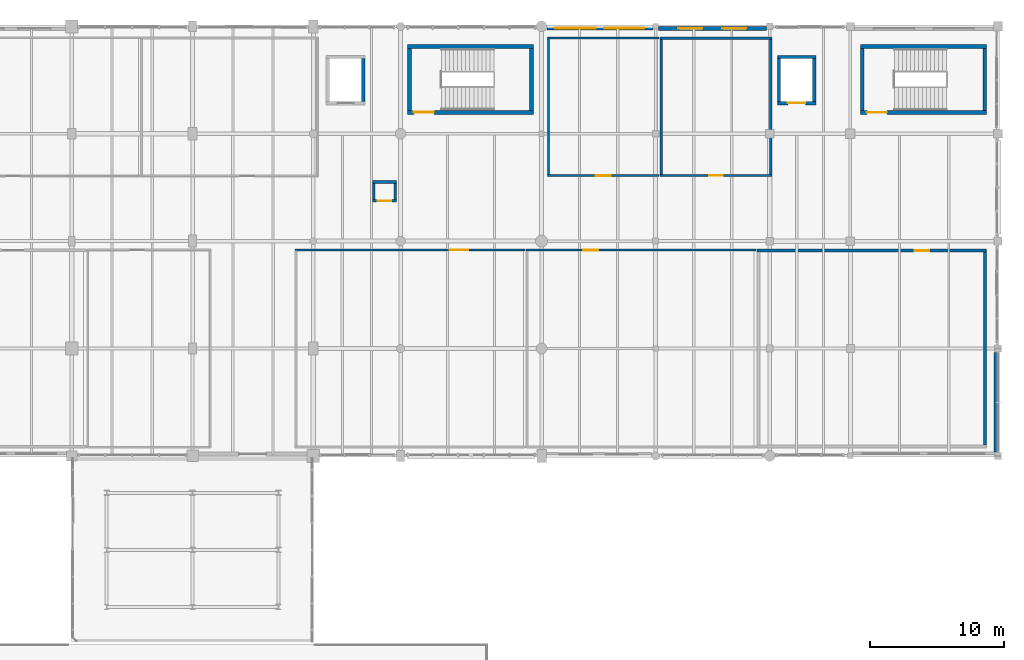
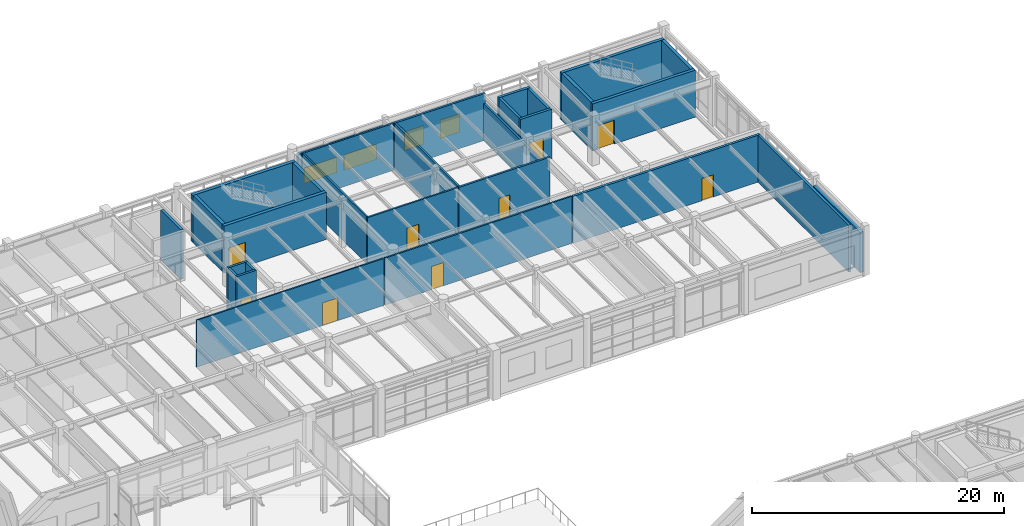
# One storey, part 181 of 200: 31 walls, 9 doors, 4 windows, 13 openings.
"""IFC4 building model written with IfcOpenShell, lengths in metres."""

from ifc_helpers import new_model, si_unit, direction, frame, frame_2d, origin, place, context, subcontext, project, spatial, rectangle, extrude, material, layer, layer_set, type_object, element, fill, save


model = new_model("IFC4")

# Units and contexts
model_context = context("Model", 3, precision=1e-05, world=origin(), true_north=direction((0.0, 1.0)))
body_context = subcontext(model_context, "Body", "Model", "MODEL_VIEW")
ifc_project = project(units=[si_unit("LENGTHUNIT", "METRE"), si_unit("AREAUNIT", "SQUARE_METRE"), si_unit("VOLUMEUNIT", "CUBIC_METRE"), si_unit("PLANEANGLEUNIT", "RADIAN"), si_unit("MASSUNIT", "GRAM", prefix="KILO"), si_unit("THERMODYNAMICTEMPERATUREUNIT", "KELVIN"), si_unit("POWERUNIT", "WATT")], contexts=[model_context])

# Site, building, storey
site_placement = place(None, origin())
site = spatial("IfcSite", under=ifc_project, at=site_placement, CompositionType="ELEMENT")
building_placement = place(site_placement, origin())
building = spatial("IfcBuilding", under=site, at=building_placement, Name="Tepalcoro Natatorium and Aquatics Centre", CompositionType="ELEMENT")
storey_placement = place(building_placement, frame((0.0, 0.0, 5.39990234375)))
storey = spatial("IfcBuildingStorey", under=building, at=storey_placement, Name="L01", CompositionType="ELEMENT", Elevation=5.39990234375)

# Wall, openings, windows
ifc_material_1 = material(Name="Precast Concrete C45/55 (fc 45 MPa)", Category="concrete")
ifc_layer_1 = layer(ifc_material_1, 0.260009765625)
ifc_layer_set_1 = layer_set([ifc_layer_1], Name="Precast Concrete C45/55 (fc 45 MPa)")
wall_type_1 = type_object("IfcWallType", Name="WL_EXT_GABLE_260", PredefinedType="SOLIDWALL", material=ifc_layer_set_1)
wall_1_placement = place(storey_placement, frame((142.404052734375, 117.8701171875, 0.0), z_axis=(0.0, 0.0, 1.0), x_axis=(1.0, 0.0, 0.0)))
wall_1 = element("IfcWall", 1, at=wall_1_placement, inside=storey, type_object=wall_type_1, Name="V5 L01 N Volcanic Basalt Envelope Wall", PredefinedType="SOLIDWALL", context=body_context, shape_type="SweptSolid", body=[
    extrude(rectangle(XDim=7.891845703125, YDim=0.260009765625, at=frame_2d((3.94580078125, 0.0))), origin(), (0.0, 0.0, 1.0), 3.994140625),
])
opening_1_placement = place(wall_1_placement, frame((0.630615234375, 0.0, 0.949951171875)))
opening_1 = element("IfcOpeningElement", 2, at=opening_1_placement, cuts=wall_1, Name="Opening W0092A", PredefinedType="OPENING", context=body_context, shape_type="SweptSolid", body=[
    extrude(rectangle(XDim=3.0, YDim=1.5, at=frame_2d((1.5, 0.75))), frame((0.0, 0.14208984375, 0.0), z_axis=(0.0, -1.0, 0.0), x_axis=(1.0, 0.0, 0.0)), (0.0, 0.0, 1.0), 0.283935546875),
])
opening_2_placement = place(wall_1_placement, frame((4.26123046875, 0.0, 0.949951171875)))
opening_2 = element("IfcOpeningElement", 3, at=opening_2_placement, cuts=wall_1, Name="Opening W0092B", PredefinedType="OPENING", context=body_context, shape_type="SweptSolid", body=[
    extrude(rectangle(XDim=3.0, YDim=1.5, at=frame_2d((1.5, 0.75))), frame((0.0, 0.14208984375, 0.0), z_axis=(0.0, -1.0, 0.0), x_axis=(1.0, 0.0, 0.0)), (0.0, 0.0, 1.0), 0.283935546875),
])
ifc_material_2 = material(Name="Solar-Control Bronze Tempered Low-E Double Glazing", Category="glass")
window_type_1 = type_object("IfcWindowType", Name="WN_300x150", PartitioningType="SINGLE_PANEL", PredefinedType="WINDOW", material=ifc_material_2)
window_1_placement = place(opening_1_placement, origin())
window_1 = element("IfcWindow", 4, at=window_1_placement, inside=storey, type_object=window_type_1, Name="Exterior Thermal Window WN_300x150", OverallHeight=1.5, OverallWidth=3.0, PartitioningType="SINGLE_PANEL", PredefinedType="WINDOW", context=body_context, shape_type="SweptSolid", body=[
    extrude(rectangle(XDim=3.0, YDim=1.5, at=frame_2d((1.5, 0.75))), frame((0.0, 0.030029296875, 0.0), z_axis=(0.0, -1.0, 0.0), x_axis=(1.0, 0.0, 0.0)), (0.0, 0.0, 1.0), 0.06005859375),
])
fill(opening_1, window_1)
window_2_placement = place(opening_2_placement, origin())
window_2 = element("IfcWindow", 5, at=window_2_placement, inside=storey, type_object=window_type_1, Name="Exterior Thermal Window WN_300x150", OverallHeight=1.5, OverallWidth=3.0, PartitioningType="SINGLE_PANEL", PredefinedType="WINDOW", context=body_context, shape_type="SweptSolid", body=[
    extrude(rectangle(XDim=3.0, YDim=1.5, at=frame_2d((1.5, 0.75))), frame((0.0, 0.030029296875, 0.0), z_axis=(0.0, -1.0, 0.0), x_axis=(1.0, 0.0, 0.0)), (0.0, 0.0, 1.0), 0.06005859375),
])
fill(opening_2, window_2)

ifc_material_3 = material(Name="Jalisco Cantera Rosa Volcanic Tuff Ashlar Masonry", Category="masonry")
ifc_layer_2 = layer(ifc_material_3, 0.304931640625)
ifc_layer_set_2 = layer_set([ifc_layer_2], Name="Jalisco Cantera Rosa Volcanic Tuff Ashlar Masonry")
wall_type_2 = type_object("IfcWallType", Name="WL_EXT_TERRACOTTA_300", PredefinedType="SOLIDWALL", material=ifc_layer_set_2)
wall_2_placement = place(storey_placement, frame((150.7041015625, 117.847412109375, 0.0), z_axis=(0.0, 0.0, 1.0), x_axis=(1.0, 0.0, 0.0)))
wall_2 = element("IfcWall", 6, at=wall_2_placement, inside=storey, type_object=wall_type_2, Name="V5 L01 N Volcanic Basalt Envelope Wall", PredefinedType="SOLIDWALL", context=body_context, shape_type="SweptSolid", body=[
    extrude(rectangle(XDim=8.0419921875, YDim=0.304931640625, at=frame_2d((4.02099609375, 0.0))), origin(), (0.0, 0.0, 1.0), 3.918212890625),
])
opening_3_placement = place(wall_2_placement, frame((1.480712890625, 0.0, 0.949951171875)))
opening_3 = element("IfcOpeningElement", 7, at=opening_3_placement, cuts=wall_2, Name="Opening W0093A", PredefinedType="OPENING", context=body_context, shape_type="SweptSolid", body=[
    extrude(rectangle(XDim=1.800048828125, YDim=1.800048828125, at=frame_2d((0.89990234375, 0.89990234375))), frame((0.0, 0.16455078125, 0.0), z_axis=(0.0, -1.0, 0.0), x_axis=(1.0, 0.0, 0.0)), (0.0, 0.0, 1.0), 0.328857421875),
])
opening_4_placement = place(wall_2_placement, frame((4.76123046875, 0.0, 0.949951171875)))
opening_4 = element("IfcOpeningElement", 8, at=opening_4_placement, cuts=wall_2, Name="Opening W0093B", PredefinedType="OPENING", context=body_context, shape_type="SweptSolid", body=[
    extrude(rectangle(XDim=1.800048828125, YDim=1.800048828125, at=frame_2d((0.89990234375, 0.89990234375))), frame((0.0, 0.16455078125, 0.0), z_axis=(0.0, -1.0, 0.0), x_axis=(1.0, 0.0, 0.0)), (0.0, 0.0, 1.0), 0.328857421875),
])
window_type_2 = type_object("IfcWindowType", Name="WN_180x180", PartitioningType="SINGLE_PANEL", PredefinedType="WINDOW", material=ifc_material_2)
window_3_placement = place(opening_3_placement, origin())
window_3 = element("IfcWindow", 9, at=window_3_placement, inside=storey, type_object=window_type_2, Name="Exterior Thermal Window WN_180x180", OverallHeight=1.800048828125, OverallWidth=1.800048828125, PartitioningType="SINGLE_PANEL", PredefinedType="WINDOW", context=body_context, shape_type="SweptSolid", body=[
    extrude(rectangle(XDim=1.800048828125, YDim=1.800048828125, at=frame_2d((0.89990234375, 0.89990234375))), frame((0.0, 0.030029296875, 0.0), z_axis=(0.0, -1.0, 0.0), x_axis=(1.0, 0.0, 0.0)), (0.0, 0.0, 1.0), 0.06005859375),
])
fill(opening_3, window_3)
window_4_placement = place(opening_4_placement, origin())
window_4 = element("IfcWindow", 10, at=window_4_placement, inside=storey, type_object=window_type_2, Name="Exterior Thermal Window WN_180x180", OverallHeight=1.800048828125, OverallWidth=1.800048828125, PartitioningType="SINGLE_PANEL", PredefinedType="WINDOW", context=body_context, shape_type="SweptSolid", body=[
    extrude(rectangle(XDim=1.800048828125, YDim=1.800048828125, at=frame_2d((0.89990234375, 0.89990234375))), frame((0.0, 0.030029296875, 0.0), z_axis=(0.0, -1.0, 0.0), x_axis=(1.0, 0.0, 0.0)), (0.0, 0.0, 1.0), 0.06005859375),
])
fill(opening_4, window_4)

# Wall
wall_3_placement = place(storey_placement, frame((175.847412109375, 86.2890625, 0.0), z_axis=(0.0, 0.0, 1.0), x_axis=(0.0, 1.0, 0.0)))
element("IfcWall", 11, at=wall_3_placement, inside=storey, type_object=wall_type_2, Name="V5 L01 E Volcanic Basalt Envelope Wall", PredefinedType="SOLIDWALL", context=body_context, shape_type="SweptSolid", body=[
    extrude(rectangle(XDim=7.431884765625, YDim=0.304931640625, at=frame_2d((3.7158203125, 0.0))), origin(), (0.0, 0.0, 1.0), 3.918212890625),
])

# Wall, opening, door
ifc_material_4 = material(Name="Moisture-Resistant Acoustic Gypsum Drywall on Cold-Formed Metal Studs")
ifc_layer_3 = layer(ifc_material_4, 0.125)
ifc_layer_set_3 = layer_set([ifc_layer_3], Name="Moisture-Resistant Acoustic Gypsum Drywall on Cold-Formed Metal Studs")
wall_type_3 = type_object("IfcWallType", Name="WL_PART_125", PredefinedType="PARTITIONING", material=ifc_layer_set_3)
wall_4_placement = place(storey_placement, frame((123.639892578125, 101.33740234375, 0.0), z_axis=(0.0, 0.0, 1.0), x_axis=(1.0, 0.0, 0.0)))
wall_4 = element("IfcWall", 12, at=wall_4_placement, inside=storey, type_object=wall_type_3, Name="Press Conference Auditorium (140 Seats) Partition N", PredefinedType="PARTITIONING", context=body_context, shape_type="SweptSolid", body=[
    extrude(rectangle(XDim=17.1201171875, YDim=0.125, at=frame_2d((8.56005859375, 0.0))), origin(), (0.0, 0.0, 1.0), 4.545166015625),
])
opening_5_placement = place(wall_4_placement, frame((11.514892578125, 0.0, 0.0)))
opening_5 = element("IfcOpeningElement", 13, at=opening_5_placement, cuts=wall_4, Name="Opening D0146", PredefinedType="OPENING", context=body_context, shape_type="SweptSolid", body=[
    extrude(rectangle(XDim=1.39990234375, YDim=2.199951171875, at=frame_2d((0.699951171875, 1.10009765625))), frame((0.0, 0.074462890625, 0.0), z_axis=(0.0, -1.0, 0.0), x_axis=(1.0, 0.0, 0.0)), (0.0, 0.0, 1.0), 0.14892578125),
])
ifc_material_5 = material(Name="Solid-Core Moisture-Sealed Oak Timber Leaf in Aluminium Frame", Category="wood")
door_type_1 = type_object("IfcDoorType", Name="DR_140x220_TEAM", OperationType="NOTDEFINED", PredefinedType="DOOR", material=ifc_material_5)
door_1_placement = place(opening_5_placement, frame((1.39990234375, 0.0, 0.0), z_axis=(0.0, 0.0, 1.0), x_axis=(-1.0, 0.0, 0.0)))
door_1 = element("IfcDoor", 14, at=door_1_placement, inside=storey, type_object=door_type_1, Name="Press Conference Auditorium (140 Seats) Door", OperationType="DOUBLE_DOOR_SINGLE_SWING", OverallHeight=2.199951171875, OverallWidth=1.39990234375, PredefinedType="DOOR", context=body_context, shape_type="SweptSolid", body=[
    extrude(rectangle(XDim=1.39990234375, YDim=2.199951171875, at=frame_2d((0.699951171875, 1.10009765625))), frame((0.0, 0.02490234375, 0.0), z_axis=(0.0, -1.0, 0.0), x_axis=(1.0, 0.0, 0.0)), (0.0, 0.0, 1.0), 0.050048828125),
])
fill(opening_5, door_1)

ifc_layer_4 = layer(ifc_material_4, 0.14990234375)
ifc_layer_set_4 = layer_set([ifc_layer_4], Name="Moisture-Resistant Acoustic Gypsum Drywall on Cold-Formed Metal Studs")
wall_type_4 = type_object("IfcWallType", Name="WL_PART_150_AC", PredefinedType="PARTITIONING", material=ifc_layer_set_4)
wall_5_placement = place(storey_placement, frame((140.840087890625, 101.324951171875, 0.0), z_axis=(0.0, 0.0, 1.0), x_axis=(1.0, 0.0, 0.0)))
wall_5 = element("IfcWall", 15, at=wall_5_placement, inside=storey, type_object=wall_type_4, Name="Simultaneous Interpretation Booths & AV Rack Partition N", PredefinedType="PARTITIONING", context=body_context, shape_type="SweptSolid", body=[
    extrude(rectangle(XDim=17.119873046875, YDim=0.14990234375, at=frame_2d((8.56005859375, 0.0))), origin(), (0.0, 0.0, 1.0), 4.545166015625),
])
opening_6_placement = place(wall_5_placement, frame((4.280029296875, 0.0, 0.0)))
opening_6 = element("IfcOpeningElement", 16, at=opening_6_placement, cuts=wall_5, Name="Opening D0147", PredefinedType="OPENING", context=body_context, shape_type="SweptSolid", body=[
    extrude(rectangle(XDim=1.10009765625, YDim=2.25, at=frame_2d((0.550048828125, 1.125))), frame((0.0, 0.0869140625, 0.0), z_axis=(0.0, -1.0, 0.0), x_axis=(1.0, 0.0, 0.0)), (0.0, 0.0, 1.0), 0.173828125),
])
door_type_2 = type_object("IfcDoorType", Name="DR_110x225", OperationType="NOTDEFINED", PredefinedType="DOOR", material=ifc_material_5)
door_2_placement = place(opening_6_placement, frame((1.10009765625, 0.0, 0.0), z_axis=(0.0, 0.0, 1.0), x_axis=(-1.0, 0.0, 0.0)))
door_2 = element("IfcDoor", 17, at=door_2_placement, inside=storey, type_object=door_type_2, Name="Simultaneous Interpretation Booths & AV Rack Door", OperationType="SINGLE_SWING_LEFT", OverallHeight=2.25, OverallWidth=1.10009765625, PredefinedType="DOOR", context=body_context, shape_type="SweptSolid", body=[
    extrude(rectangle(XDim=1.10009765625, YDim=2.25, at=frame_2d((0.550048828125, 1.125))), frame((0.0, 0.02490234375, 0.0), z_axis=(0.0, -1.0, 0.0), x_axis=(1.0, 0.0, 0.0)), (0.0, 0.0, 1.0), 0.050048828125),
])
fill(opening_6, door_2)

wall_6_placement = place(storey_placement, frame((142.43994140625, 106.875, 0.0), z_axis=(0.0, 0.0, 1.0), x_axis=(1.0, 0.0, 0.0)))
wall_6 = element("IfcWall", 18, at=wall_6_placement, inside=storey, type_object=wall_type_4, Name="Volunteer Briefing & Uniform Room Partition S", PredefinedType="PARTITIONING", context=body_context, shape_type="SweptSolid", body=[
    extrude(rectangle(XDim=8.320068359375, YDim=0.14990234375, at=frame_2d((4.16015625, 0.0))), origin(), (0.0, 0.0, 1.0), 4.545166015625),
])
opening_7_placement = place(wall_6_placement, frame((3.610107421875, 0.0, 0.0)))
opening_7 = element("IfcOpeningElement", 19, at=opening_7_placement, cuts=wall_6, Name="Opening D0151", PredefinedType="OPENING", context=body_context, shape_type="SweptSolid", body=[
    extrude(rectangle(XDim=1.10009765625, YDim=2.25, at=frame_2d((0.550048828125, 1.125))), frame((0.0, 0.0869140625, 0.0), z_axis=(0.0, -1.0, 0.0), x_axis=(1.0, 0.0, 0.0)), (0.0, 0.0, 1.0), 0.173828125),
])
door_3_placement = place(opening_7_placement, origin())
door_3 = element("IfcDoor", 20, at=door_3_placement, inside=storey, type_object=door_type_2, Name="Volunteer Briefing & Uniform Room Door", OperationType="SINGLE_SWING_LEFT", OverallHeight=2.25, OverallWidth=1.10009765625, PredefinedType="DOOR", context=body_context, shape_type="SweptSolid", body=[
    extrude(rectangle(XDim=1.10009765625, YDim=2.25, at=frame_2d((0.550048828125, 1.125))), frame((0.0, 0.02490234375, 0.0), z_axis=(0.0, -1.0, 0.0), x_axis=(1.0, 0.0, 0.0)), (0.0, 0.0, 1.0), 0.050048828125),
])
fill(opening_7, door_3)

# Walls
wall_7_placement = place(storey_placement, frame((142.43994140625, 117.125, 0.0), z_axis=(0.0, 0.0, 1.0), x_axis=(1.0, 0.0, 0.0)))
element("IfcWall", 21, at=wall_7_placement, inside=storey, type_object=wall_type_4, Name="Volunteer Briefing & Uniform Room Partition N", PredefinedType="PARTITIONING", context=body_context, shape_type="SweptSolid", body=[
    extrude(rectangle(XDim=8.320068359375, YDim=0.14990234375, at=frame_2d((4.16015625, 0.0))), origin(), (0.0, 0.0, 1.0), 4.545166015625),
])
wall_8_placement = place(storey_placement, frame((142.514892578125, 106.949951171875, 0.0), z_axis=(0.0, 0.0, 1.0), x_axis=(0.0, 1.0, 0.0)))
element("IfcWall", 22, at=wall_8_placement, inside=storey, type_object=wall_type_4, Name="Volunteer Briefing & Uniform Room Partition W", PredefinedType="PARTITIONING", context=body_context, shape_type="SweptSolid", body=[
    extrude(rectangle(XDim=10.10009765625, YDim=0.14990234375, at=frame_2d((5.050048828125, 0.0))), origin(), (0.0, 0.0, 1.0), 4.545166015625),
])

# Wall, opening, door
ifc_layer_5 = layer(ifc_material_4, 0.179931640625)
ifc_layer_set_5 = layer_set([ifc_layer_5], Name="Moisture-Resistant Acoustic Gypsum Drywall on Cold-Formed Metal Studs")
wall_type_5 = type_object("IfcWallType", Name="WL_PART_180_AC", PredefinedType="PARTITIONING", material=ifc_layer_set_5)
wall_9_placement = place(storey_placement, frame((150.840087890625, 106.889892578125, 0.0), z_axis=(0.0, 0.0, 1.0), x_axis=(1.0, 0.0, 0.0)))
wall_9 = element("IfcWall", 23, at=wall_9_placement, inside=storey, type_object=wall_type_5, Name="Broadcast Cabling & Camera Store Partition S", PredefinedType="PARTITIONING", context=body_context, shape_type="SweptSolid", body=[
    extrude(rectangle(XDim=8.31982421875, YDim=0.179931640625, at=frame_2d((4.159912109375, 0.0))), origin(), (0.0, 0.0, 1.0), 4.545166015625),
])
opening_8_placement = place(wall_9_placement, frame((3.659912109375, 0.0, 0.0)))
opening_8 = element("IfcOpeningElement", 24, at=opening_8_placement, cuts=wall_9, Name="Opening D0152", PredefinedType="OPENING", context=body_context, shape_type="SweptSolid", body=[
    extrude(rectangle(XDim=1.0, YDim=2.199951171875, at=frame_2d((0.5, 1.10009765625))), frame((0.0, 0.10205078125, 0.0), z_axis=(0.0, -1.0, 0.0), x_axis=(1.0, 0.0, 0.0)), (0.0, 0.0, 1.0), 0.203857421875),
])
ifc_material_6 = material(Name="Galvanised Steel Insulated Acoustic Fire Door Assembly", Category="steel")
door_type_3 = type_object("IfcDoorType", Name="DR_100x220_FD60", OperationType="NOTDEFINED", PredefinedType="DOOR", material=ifc_material_6)
door_4_placement = place(opening_8_placement, origin())
door_4 = element("IfcDoor", 25, at=door_4_placement, inside=storey, type_object=door_type_3, Name="Broadcast Cabling & Camera Store Door", OperationType="SINGLE_SWING_RIGHT", OverallHeight=2.199951171875, OverallWidth=1.0, PredefinedType="DOOR", context=body_context, shape_type="SweptSolid", body=[
    extrude(rectangle(XDim=1.0, YDim=2.199951171875, at=frame_2d((0.5, 1.10009765625))), frame((0.0, 0.02490234375, 0.0), z_axis=(0.0, -1.0, 0.0), x_axis=(1.0, 0.0, 0.0)), (0.0, 0.0, 1.0), 0.050048828125),
])
fill(opening_8, door_4)

# Walls
wall_10_placement = place(storey_placement, frame((150.840087890625, 117.110107421875, 0.0), z_axis=(0.0, 0.0, 1.0), x_axis=(1.0, 0.0, 0.0)))
element("IfcWall", 26, at=wall_10_placement, inside=storey, type_object=wall_type_5, Name="Broadcast Cabling & Camera Store Partition N", PredefinedType="PARTITIONING", context=body_context, shape_type="SweptSolid", body=[
    extrude(rectangle(XDim=8.31982421875, YDim=0.179931640625, at=frame_2d((4.159912109375, 0.0))), origin(), (0.0, 0.0, 1.0), 4.545166015625),
])
wall_11_placement = place(storey_placement, frame((159.070068359375, 106.97998046875, 0.0), z_axis=(0.0, 0.0, 1.0), x_axis=(0.0, 1.0, 0.0)))
element("IfcWall", 27, at=wall_11_placement, inside=storey, type_object=wall_type_5, Name="Broadcast Cabling & Camera Store Partition E", PredefinedType="PARTITIONING", context=body_context, shape_type="SweptSolid", body=[
    extrude(rectangle(XDim=10.0400390625, YDim=0.179931640625, at=frame_2d((5.02001953125, 0.0))), origin(), (0.0, 0.0, 1.0), 3.59814453125),
])
wall_12_placement = place(storey_placement, frame((150.929931640625, 106.97998046875, 0.0), z_axis=(0.0, 0.0, 1.0), x_axis=(0.0, 1.0, 0.0)))
element("IfcWall", 28, at=wall_12_placement, inside=storey, type_object=wall_type_5, Name="Broadcast Cabling & Camera Store Partition W", PredefinedType="PARTITIONING", context=body_context, shape_type="SweptSolid", body=[
    extrude(rectangle(XDim=10.0400390625, YDim=0.179931640625, at=frame_2d((5.02001953125, 0.0))), origin(), (0.0, 0.0, 1.0), 4.545166015625),
])

# Wall, opening, door
ifc_material_7 = material(Name="Ceramic-Tiled Moisture-Resistant Masonry Blockwork", Category="masonry")
ifc_layer_6 = layer(ifc_material_7, 0.219970703125)
ifc_layer_set_6 = layer_set([ifc_layer_6], Name="Ceramic-Tiled Moisture-Resistant Masonry Blockwork")
wall_type_6 = type_object("IfcWallType", Name="WL_PLUMB_220", PredefinedType="PLUMBINGWALL", material=ifc_layer_set_6)
wall_13_placement = place(storey_placement, frame((158.0400390625, 101.2900390625, 0.0), z_axis=(0.0, 0.0, 1.0), x_axis=(1.0, 0.0, 0.0)))
wall_13 = element("IfcWall", 29, at=wall_13_placement, inside=storey, type_object=wall_type_6, Name="Media Male/Female & Accessible Toilets Partition N", PredefinedType="PLUMBINGWALL", context=body_context, shape_type="SweptSolid", body=[
    extrude(rectangle(XDim=17.119873046875, YDim=0.219970703125, at=frame_2d((8.56005859375, 0.0))), origin(), (0.0, 0.0, 1.0), 4.545166015625),
])
opening_9_placement = place(wall_13_placement, frame((11.777587890625, 0.0, 0.0)))
opening_9 = element("IfcOpeningElement", 30, at=opening_9_placement, cuts=wall_13, Name="Opening D0148", PredefinedType="OPENING", context=body_context, shape_type="SweptSolid", body=[
    extrude(rectangle(XDim=1.050048828125, YDim=2.14990234375, at=frame_2d((0.52490234375, 1.074951171875))), frame((0.0, 0.1220703125, 0.0), z_axis=(0.0, -1.0, 0.0), x_axis=(1.0, 0.0, 0.0)), (0.0, 0.0, 1.0), 0.243896484375),
])
door_type_4 = type_object("IfcDoorType", Name="DR_105x215_ACC", OperationType="NOTDEFINED", PredefinedType="DOOR", material=ifc_material_5)
door_5_placement = place(opening_9_placement, frame((1.050048828125, 0.0, 0.0), z_axis=(0.0, 0.0, 1.0), x_axis=(-1.0, 0.0, 0.0)))
door_5 = element("IfcDoor", 31, at=door_5_placement, inside=storey, type_object=door_type_4, Name="Media Male/Female & Accessible Toilets Door", OperationType="SINGLE_SWING_RIGHT", OverallHeight=2.14990234375, OverallWidth=1.050048828125, PredefinedType="DOOR", context=body_context, shape_type="SweptSolid", body=[
    extrude(rectangle(XDim=1.050048828125, YDim=2.14990234375, at=frame_2d((0.52490234375, 1.074951171875))), frame((0.0, 0.02490234375, 0.0), z_axis=(0.0, -1.0, 0.0), x_axis=(1.0, 0.0, 0.0)), (0.0, 0.0, 1.0), 0.050048828125),
])
fill(opening_9, door_5)

# Walls
wall_14_placement = place(storey_placement, frame((175.050048828125, 86.820068359375, 0.0), z_axis=(0.0, 0.0, 1.0), x_axis=(0.0, 1.0, 0.0)))
element("IfcWall", 32, at=wall_14_placement, inside=storey, type_object=wall_type_6, Name="Media Male/Female & Accessible Toilets Partition E", PredefinedType="PLUMBINGWALL", context=body_context, shape_type="SweptSolid", body=[
    extrude(rectangle(XDim=14.35986328125, YDim=0.219970703125, at=frame_2d((7.179931640625, 0.0))), origin(), (0.0, 0.0, 1.0), 4.545166015625),
])
ifc_material_8 = material(Name="Concrete C40/50 (fc 40 MPa)", Category="concrete")
ifc_layer_7 = layer(ifc_material_8, 0.239990234375)
ifc_layer_set_7 = layer_set([ifc_layer_7], Name="Concrete C40/50 (fc 40 MPa)")
wall_type_7 = type_object("IfcWallType", Name="WL_SHAFT_240", PredefinedType="SOLIDWALL", material=ifc_layer_set_7)
wall_15_placement = place(storey_placement, frame((128.719970703125, 112.39990234375, 0.0), z_axis=(0.0, 0.0, 1.0), x_axis=(0.0, 1.0, 0.0)))
element("IfcWall", 33, at=wall_15_placement, inside=storey, type_object=wall_type_7, Name="LF05 Lift Shaft Wall E L01", PredefinedType="SOLIDWALL", context=body_context, shape_type="SweptSolid", body=[
    extrude(rectangle(XDim=3.2001953125, YDim=0.239990234375, at=frame_2d((1.60009765625, 0.0))), origin(), (0.0, 0.0, 1.0), 4.800048828125),
])

# Wall, opening, door
wall_16_placement = place(storey_placement, frame((159.56005859375, 112.280029296875, 0.0), z_axis=(0.0, 0.0, 1.0), x_axis=(1.0, 0.0, 0.0)))
wall_16 = element("IfcWall", 34, at=wall_16_placement, inside=storey, type_object=wall_type_7, Name="LF06 Lift Shaft Wall S L01", PredefinedType="SOLIDWALL", context=body_context, shape_type="SweptSolid", body=[
    extrude(rectangle(XDim=2.8798828125, YDim=0.239990234375, at=frame_2d((1.43994140625, 0.0))), origin(), (0.0, 0.0, 1.0), 4.800048828125),
])
opening_10_placement = place(wall_16_placement, frame((0.7900390625, 0.0, 0.0)))
opening_10 = element("IfcOpeningElement", 35, at=opening_10_placement, cuts=wall_16, Name="Opening LD-LF06-L01", PredefinedType="OPENING", context=body_context, shape_type="SweptSolid", body=[
    extrude(rectangle(XDim=1.300048828125, YDim=2.25, at=frame_2d((0.64990234375, 1.125))), frame((0.0, 0.1318359375, 0.0), z_axis=(0.0, -1.0, 0.0), x_axis=(1.0, 0.0, 0.0)), (0.0, 0.0, 1.0), 0.263916015625),
])
ifc_material_9 = material(Name="Marine-Grade Brushed Stainless Steel AISI 316L", Category="steel")
door_type_5 = type_object("IfcDoorType", Name="DR_130x225_LIFT", OperationType="NOTDEFINED", PredefinedType="USERDEFINED", material=ifc_material_9)
door_6_placement = place(opening_10_placement, origin())
door_6 = element("IfcDoor", 36, at=door_6_placement, inside=storey, type_object=door_type_5, Name="LF06 Lift Landing Sliding Door (L01)", ObjectType="SLIDING LANDING DOOR", OperationType="SLIDING_TO_RIGHT", OverallHeight=2.25, OverallWidth=1.300048828125, PredefinedType="USERDEFINED", context=body_context, shape_type="SweptSolid", body=[
    extrude(rectangle(XDim=1.300048828125, YDim=2.25, at=frame_2d((0.64990234375, 1.125))), frame((0.0, 0.02490234375, 0.0), z_axis=(0.0, -1.0, 0.0), x_axis=(1.0, 0.0, 0.0)), (0.0, 0.0, 1.0), 0.050048828125),
])
fill(opening_10, door_6)

# Walls
wall_17_placement = place(storey_placement, frame((159.56005859375, 115.719970703125, 0.0), z_axis=(0.0, 0.0, 1.0), x_axis=(1.0, 0.0, 0.0)))
element("IfcWall", 37, at=wall_17_placement, inside=storey, type_object=wall_type_7, Name="LF06 Lift Shaft Wall N L01", PredefinedType="SOLIDWALL", context=body_context, shape_type="SweptSolid", body=[
    extrude(rectangle(XDim=2.8798828125, YDim=0.239990234375, at=frame_2d((1.43994140625, 0.0))), origin(), (0.0, 0.0, 1.0), 4.800048828125),
])
for number, where, z_axis, x_axis, name in (
    (38, (159.679931640625, 112.39990234375, 0.0), (0.0, 0.0, 1.0), (0.0, 1.0, 0.0), "LF06 Lift Shaft Wall W L01"),
    (39, (162.320068359375, 112.39990234375, 0.0), (0.0, 0.0, 1.0), (0.0, 1.0, 0.0), "LF06 Lift Shaft Wall E L01"),
):
    element("IfcWall", number, at=place(storey_placement, frame(where, z_axis=z_axis, x_axis=x_axis)), inside=storey, type_object=wall_type_7, Name=name, PredefinedType="SOLIDWALL", context=body_context, shape_type="SweptSolid", body=[
        extrude(rectangle(XDim=3.2001953125, YDim=0.239990234375, at=frame_2d((1.60009765625, 0.0))), origin(), (0.0, 0.0, 1.0), 4.800048828125),
    ])

# Wall, opening, door
ifc_layer_8 = layer(ifc_material_8, 0.280029296875)
ifc_layer_set_8 = layer_set([ifc_layer_8], Name="Concrete C40/50 (fc 40 MPa)")
wall_type_8 = type_object("IfcWallType", Name="WL_SHEAR_280", PredefinedType="SHEAR", material=ifc_layer_set_8)
wall_18_placement = place(storey_placement, frame((165.75, 111.590087890625, 0.0), z_axis=(0.0, 0.0, 1.0), x_axis=(1.0, 0.0, 0.0)))
wall_18 = element("IfcWall", 40, at=wall_18_placement, inside=storey, type_object=wall_type_8, Name="ST10 Core Shear Wall S L01", PredefinedType="SHEAR", context=body_context, shape_type="SweptSolid", body=[
    extrude(rectangle(XDim=9.39990234375, YDim=0.280029296875, at=frame_2d((4.699951171875, 0.0))), origin(), (0.0, 0.0, 1.0), 4.56005859375),
])
opening_11_placement = place(wall_18_placement, frame((0.47998046875, 0.0, 0.0)))
opening_11 = element("IfcOpeningElement", 41, at=opening_11_placement, cuts=wall_18, Name="Opening D0039", PredefinedType="OPENING", context=body_context, shape_type="SweptSolid", body=[
    extrude(rectangle(XDim=1.5, YDim=2.300048828125, at=frame_2d((0.75, 1.14990234375))), frame((0.0, 0.15185546875, 0.0), z_axis=(0.0, -1.0, 0.0), x_axis=(1.0, 0.0, 0.0)), (0.0, 0.0, 1.0), 0.303955078125),
])
door_type_6 = type_object("IfcDoorType", Name="DR_150x230_FD60", OperationType="NOTDEFINED", PredefinedType="DOOR", material=ifc_material_6)
door_7_placement = place(opening_11_placement, origin())
door_7 = element("IfcDoor", 42, at=door_7_placement, inside=storey, type_object=door_type_6, Name="ST10 Fire Stair Door (L01)", OperationType="DOUBLE_DOOR_SINGLE_SWING", OverallHeight=2.300048828125, OverallWidth=1.5, PredefinedType="DOOR", context=body_context, shape_type="SweptSolid", body=[
    extrude(rectangle(XDim=1.5, YDim=2.300048828125, at=frame_2d((0.75, 1.14990234375))), frame((0.0, 0.02490234375, 0.0), z_axis=(0.0, -1.0, 0.0), x_axis=(1.0, 0.0, 0.0)), (0.0, 0.0, 1.0), 0.050048828125),
])
fill(opening_11, door_7)

# Walls
wall_19_placement = place(storey_placement, frame((165.75, 116.510009765625, 0.0), z_axis=(0.0, 0.0, 1.0), x_axis=(1.0, 0.0, 0.0)))
element("IfcWall", 43, at=wall_19_placement, inside=storey, type_object=wall_type_8, Name="ST10 Core Shear Wall N L01", PredefinedType="SHEAR", context=body_context, shape_type="SweptSolid", body=[
    extrude(rectangle(XDim=9.39990234375, YDim=0.280029296875, at=frame_2d((4.699951171875, 0.0))), origin(), (0.0, 0.0, 1.0), 4.56005859375),
])
for number, where, z_axis, x_axis, name in (
    (44, (165.889892578125, 111.72998046875, 0.0), (0.0, 0.0, 1.0), (0.0, 1.0, 0.0), "ST10 Core Shear Wall W L01"),
    (45, (175.010009765625, 111.72998046875, 0.0), (0.0, 0.0, 1.0), (0.0, 1.0, 0.0), "ST10 Core Shear Wall E L01"),
):
    element("IfcWall", number, at=place(storey_placement, frame(where, z_axis=z_axis, x_axis=x_axis)), inside=storey, type_object=wall_type_8, Name=name, PredefinedType="SHEAR", context=body_context, shape_type="SweptSolid", body=[
        extrude(rectangle(XDim=4.64013671875, YDim=0.280029296875, at=frame_2d((2.320068359375, 0.0))), origin(), (0.0, 0.0, 1.0), 4.56005859375),
    ])

# Wall, opening, door
ifc_layer_9 = layer(ifc_material_8, 0.300048828125)
ifc_layer_set_9 = layer_set([ifc_layer_9], Name="Concrete C40/50 (fc 40 MPa)")
wall_type_9 = type_object("IfcWallType", Name="WL_SHEAR_300", PredefinedType="SHEAR", material=ifc_layer_set_9)
wall_20_placement = place(storey_placement, frame((132.0, 111.60009765625, 0.0), z_axis=(0.0, 0.0, 1.0), x_axis=(1.0, 0.0, 0.0)))
wall_20 = element("IfcWall", 46, at=wall_20_placement, inside=storey, type_object=wall_type_9, Name="ST09 Core Shear Wall S L01", PredefinedType="SHEAR", context=body_context, shape_type="SweptSolid", body=[
    extrude(rectangle(XDim=9.39990234375, YDim=0.300048828125, at=frame_2d((4.699951171875, 0.0))), origin(), (0.0, 0.0, 1.0), 4.56005859375),
])
opening_12_placement = place(wall_20_placement, frame((0.47998046875, 0.0, 0.0)))
opening_12 = element("IfcOpeningElement", 47, at=opening_12_placement, cuts=wall_20, Name="Opening D0034", PredefinedType="OPENING", context=body_context, shape_type="SweptSolid", body=[
    extrude(rectangle(XDim=1.5, YDim=2.300048828125, at=frame_2d((0.75, 1.14990234375))), frame((0.0, 0.162109375, 0.0), z_axis=(0.0, -1.0, 0.0), x_axis=(1.0, 0.0, 0.0)), (0.0, 0.0, 1.0), 0.323974609375),
])
door_8_placement = place(opening_12_placement, origin())
door_8 = element("IfcDoor", 48, at=door_8_placement, inside=storey, type_object=door_type_6, Name="ST09 Fire Stair Door (L01)", OperationType="DOUBLE_DOOR_SINGLE_SWING", OverallHeight=2.300048828125, OverallWidth=1.5, PredefinedType="DOOR", context=body_context, shape_type="SweptSolid", body=[
    extrude(rectangle(XDim=1.5, YDim=2.300048828125, at=frame_2d((0.75, 1.14990234375))), frame((0.0, 0.02490234375, 0.0), z_axis=(0.0, -1.0, 0.0), x_axis=(1.0, 0.0, 0.0)), (0.0, 0.0, 1.0), 0.050048828125),
])
fill(opening_12, door_8)

# Walls
wall_21_placement = place(storey_placement, frame((132.0, 116.5, 0.0), z_axis=(0.0, 0.0, 1.0), x_axis=(1.0, 0.0, 0.0)))
element("IfcWall", 49, at=wall_21_placement, inside=storey, type_object=wall_type_9, Name="ST09 Core Shear Wall N L01", PredefinedType="SHEAR", context=body_context, shape_type="SweptSolid", body=[
    extrude(rectangle(XDim=9.39990234375, YDim=0.300048828125, at=frame_2d((4.699951171875, 0.0))), origin(), (0.0, 0.0, 1.0), 4.56005859375),
])
for number, where, z_axis, x_axis, name in (
    (50, (132.14990234375, 111.75, 0.0), (0.0, 0.0, 1.0), (0.0, 1.0, 0.0), "ST09 Core Shear Wall W L01"),
    (51, (141.25, 111.75, 0.0), (0.0, 0.0, 1.0), (0.0, 1.0, 0.0), "ST09 Core Shear Wall E L01"),
):
    element("IfcWall", number, at=place(storey_placement, frame(where, z_axis=z_axis, x_axis=x_axis)), inside=storey, type_object=wall_type_9, Name=name, PredefinedType="SHEAR", context=body_context, shape_type="SweptSolid", body=[
        extrude(rectangle(XDim=4.60009765625, YDim=0.300048828125, at=frame_2d((2.300048828125, 0.0))), origin(), (0.0, 0.0, 1.0), 4.56005859375),
    ])

# Wall, opening, door
ifc_material_10 = material(Name="Concrete C35/45 (fc 35 MPa)", Category="concrete")
ifc_layer_10 = layer(ifc_material_10, 0.205078125)
ifc_layer_set_10 = layer_set([ifc_layer_10], Name="Concrete C35/45 (fc 35 MPa)")
wall_type_10 = type_object("IfcWallType", Name="WL_SOLID_200_FR120", PredefinedType="SOLIDWALL", material=ifc_layer_set_10)
wall_22_placement = place(storey_placement, frame((129.39990234375, 105.00244140625, 0.0), z_axis=(0.0, 0.0, 1.0), x_axis=(1.0, 0.0, 0.0)))
wall_22 = element("IfcWall", 52, at=wall_22_placement, inside=storey, type_object=wall_type_10, Name="V5 L01 MEP Switchgear & Telecom Closet Partition S", PredefinedType="SOLIDWALL", context=body_context, shape_type="SweptSolid", body=[
    extrude(rectangle(XDim=1.800048828125, YDim=0.205078125, at=frame_2d((0.89990234375, 0.0))), origin(), (0.0, 0.0, 1.0), 4.545166015625),
])
opening_13_placement = place(wall_22_placement, frame((0.39990234375, 0.0, 0.0)))
opening_13 = element("IfcOpeningElement", 53, at=opening_13_placement, cuts=wall_22, Name="Opening D0048", PredefinedType="OPENING", context=body_context, shape_type="SweptSolid", body=[
    extrude(rectangle(XDim=1.0, YDim=2.199951171875, at=frame_2d((0.5, 1.10009765625))), frame((0.0, 0.114501953125, 0.0), z_axis=(0.0, -1.0, 0.0), x_axis=(1.0, 0.0, 0.0)), (0.0, 0.0, 1.0), 0.22900390625),
])
door_9_placement = place(opening_13_placement, origin())
door_9 = element("IfcDoor", 54, at=door_9_placement, inside=storey, type_object=door_type_3, Name="V5 L01 MEP Switchgear & Telecom Closet Door", OperationType="SINGLE_SWING_RIGHT", OverallHeight=2.199951171875, OverallWidth=1.0, PredefinedType="DOOR", context=body_context, shape_type="SweptSolid", body=[
    extrude(rectangle(XDim=1.0, YDim=2.199951171875, at=frame_2d((0.5, 1.10009765625))), frame((0.0, 0.02490234375, 0.0), z_axis=(0.0, -1.0, 0.0), x_axis=(1.0, 0.0, 0.0)), (0.0, 0.0, 1.0), 0.050048828125),
])
fill(opening_13, door_9)

# Walls
wall_23_placement = place(storey_placement, frame((129.39990234375, 106.3974609375, 0.0), z_axis=(0.0, 0.0, 1.0), x_axis=(1.0, 0.0, 0.0)))
element("IfcWall", 55, at=wall_23_placement, inside=storey, type_object=wall_type_10, Name="V5 L01 MEP Switchgear & Telecom Closet Partition N", PredefinedType="SOLIDWALL", context=body_context, shape_type="SweptSolid", body=[
    extrude(rectangle(XDim=1.800048828125, YDim=0.205078125, at=frame_2d((0.89990234375, 0.0))), origin(), (0.0, 0.0, 1.0), 4.545166015625),
])
for number, where, z_axis, x_axis, name in (
    (56, (131.097412109375, 105.10498046875, 0.0), (0.0, 0.0, 1.0), (0.0, 1.0, 0.0), "V5 L01 MEP Switchgear & Telecom Closet Partition E"),
    (57, (129.50244140625, 105.10498046875, 0.0), (0.0, 0.0, 1.0), (0.0, 1.0, 0.0), "V5 L01 MEP Switchgear & Telecom Closet Partition W"),
):
    element("IfcWall", number, at=place(storey_placement, frame(where, z_axis=z_axis, x_axis=x_axis)), inside=storey, type_object=wall_type_10, Name=name, PredefinedType="SOLIDWALL", context=body_context, shape_type="SweptSolid", body=[
        extrude(rectangle(XDim=1.18994140625, YDim=0.205078125, at=frame_2d((0.594970703125, 0.0))), origin(), (0.0, 0.0, 1.0), 4.545166015625),
    ])

save(model, "model.ifc")
